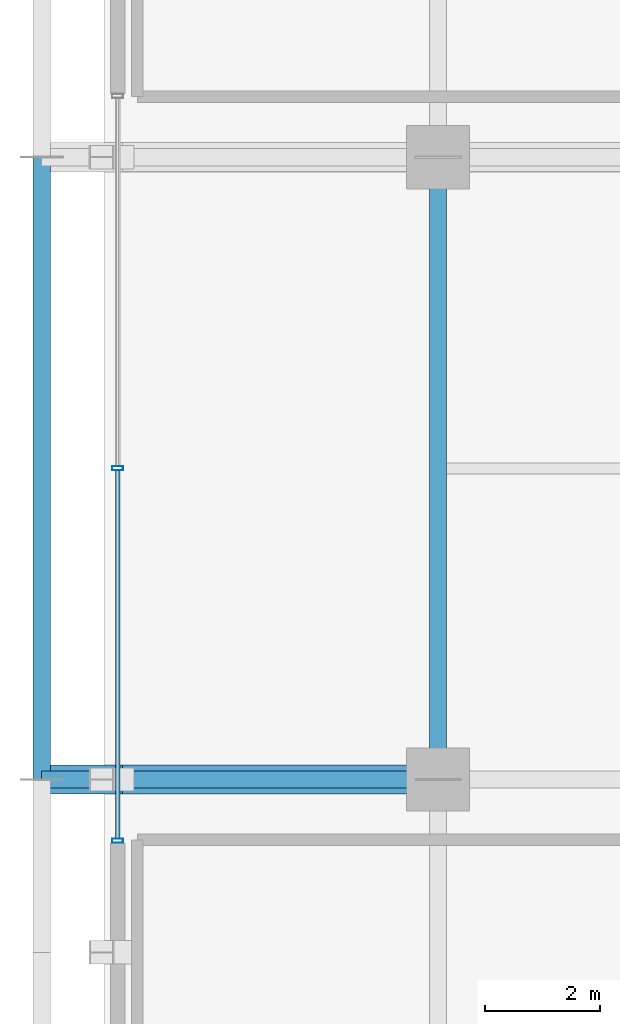
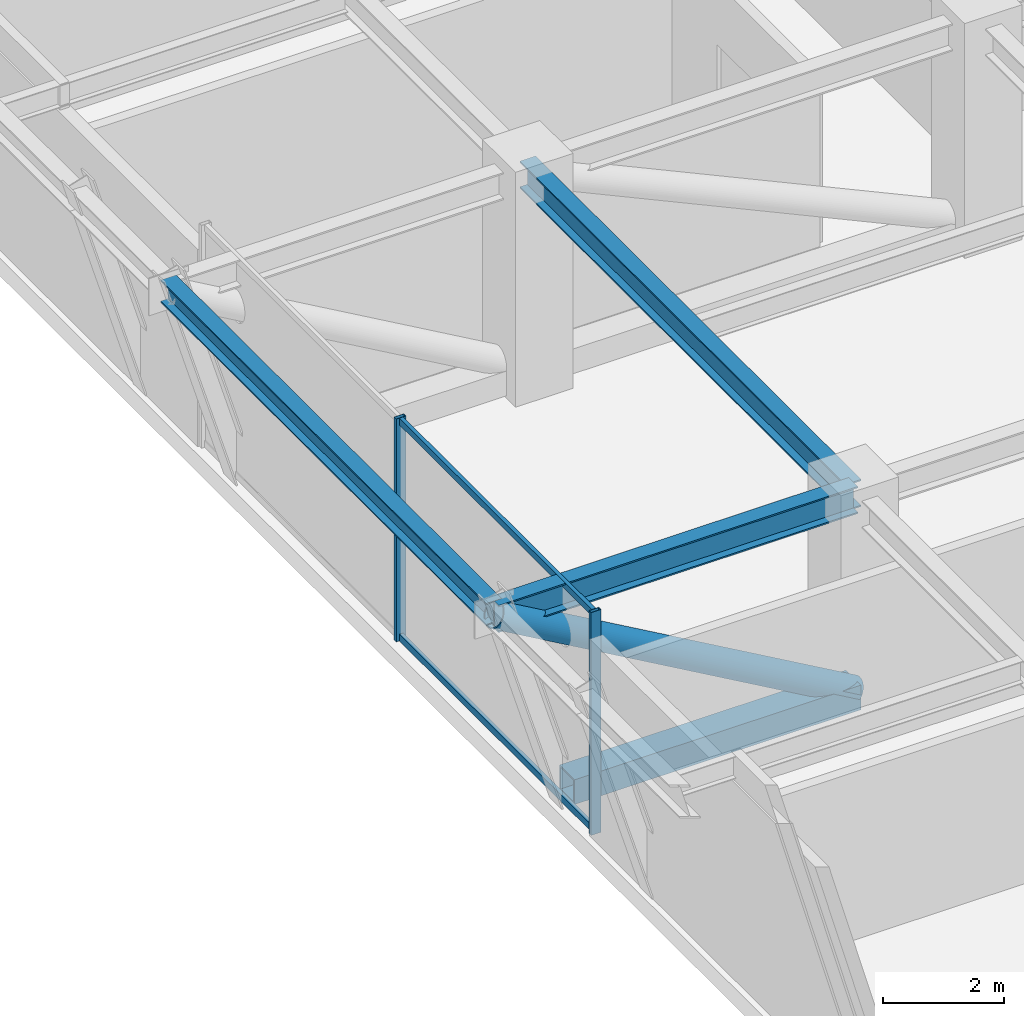
# One storey, part 2 of 16: 6 members, 3 beams, 1 element without a shape of its own.
"""IFC4 building model written with IfcOpenShell, lengths in metres."""

from ifc_helpers import new_model, si_unit, direction, frame, origin, origin_2d, place, context, subcontext, project, spatial, hollow_rectangle, hollow_circle, i_section, extrude, source, transform, mapped, material, material_profile, profile_set, type_object, element, aggregate, save


model = new_model("IFC4")

# Units and contexts
model_context = context("Model", 3, precision=1e-05, world=origin(), true_north=direction((0.0, 1.0)))
body_context = subcontext(model_context, "Body", "Model", "MODEL_VIEW")
ifc_project = project(units=[si_unit("LENGTHUNIT", "METRE"), si_unit("AREAUNIT", "SQUARE_METRE"), si_unit("VOLUMEUNIT", "CUBIC_METRE"), si_unit("PLANEANGLEUNIT", "RADIAN"), si_unit("MASSUNIT", "GRAM", prefix="KILO")], contexts=[model_context])

# Site, building, storey
site_placement = place(None, origin())
site = spatial("IfcSite", under=ifc_project, at=site_placement, CompositionType="ELEMENT")
building_placement = place(site_placement, origin())
building = spatial("IfcBuilding", under=site, at=building_placement, Name="Nahalor Promenade Grand Hotel", CompositionType="ELEMENT")
storey_placement = place(building_placement, frame((0.0, 0.0, 200.10009765625)))
storey = spatial("IfcBuildingStorey", under=building, at=storey_placement, Name="L51", CompositionType="ELEMENT", Elevation=200.10009765625)

# Beams
ifc_material_1 = material(Name="Steel S355JR", Category="steel")
ifc_material_profile_1 = material_profile(ifc_material_1, i_section(OverallWidth=0.3, OverallDepth=0.55, WebThickness=0.015, FlangeThickness=0.029, at=origin_2d()), Name="HEB 550")
ifc_profile_set_1 = profile_set([ifc_material_profile_1], Name="Steel S355JR")
beam_type_1 = type_object("IfcBeamType", Name="Beam-Girder-HEB550", PredefinedType="BEAM", material=ifc_profile_set_1)
shared_shape_1 = source(origin(), body_context, "Body", "SweptSolid", [
    extrude(i_section(OverallWidth=0.3, OverallDepth=0.55, WebThickness=0.015, FlangeThickness=0.029, at=origin_2d()), origin(), (0.0, 0.0, 1.0), 10.7998046875),
])
beam_1_placement = place(storey_placement, frame((-17.0, -5.39990234375, 4.23486328125), z_axis=(0.0, 1.0, 0.0), x_axis=(-1.0, 0.0, 0.0)))
element("IfcBeam", 1, at=beam_1_placement, inside=storey, type_object=beam_type_1, Name="BM-L51-GY-0-2", PredefinedType="BEAM", context=body_context, shape_type="MappedRepresentation", body=[
    mapped(shared_shape_1, transform((0.0, 0.0, 0.0), scale=1.0)),
])
ifc_material_profile_2 = material_profile(ifc_material_1, i_section(OverallWidth=0.3, OverallDepth=0.45, WebThickness=0.014, FlangeThickness=0.026, at=origin_2d()), Name="HEB 450")
ifc_profile_set_2 = profile_set([ifc_material_profile_2], Name="Steel S355JR")
beam_type_2 = type_object("IfcBeamType", Name="Beam-Spandrel-HEB450", PredefinedType="SPANDREL", material=ifc_profile_set_2)
shared_shape_2 = source(origin(), body_context, "Body", "SweptSolid", [
    extrude(i_section(OverallWidth=0.3, OverallDepth=0.45, WebThickness=0.014, FlangeThickness=0.026, at=origin_2d()), origin(), (0.0, 0.0, 1.0), 10.7998046875),
])
beam_2_placement = place(storey_placement, frame((-23.8798828125, -5.39990234375, 4.284912109375), z_axis=(0.0, 1.0, 0.0), x_axis=(-1.0, 0.0, 0.0)))
element("IfcBeam", 2, at=beam_2_placement, inside=storey, type_object=beam_type_2, Name="BM-L51-SP-W-2", PredefinedType="SPANDREL", context=body_context, shape_type="MappedRepresentation", body=[
    mapped(shared_shape_2, transform((0.0, 0.0, 0.0), scale=1.0)),
])
shared_shape_3 = source(origin(), body_context, "Body", "SweptSolid", [
    extrude(i_section(OverallWidth=0.3, OverallDepth=0.55, WebThickness=0.015, FlangeThickness=0.029, at=origin_2d()), origin(), (0.0, 0.0, 1.0), 6.8798828125),
])
beam_3_placement = place(storey_placement, frame((-23.8798828125, -5.39990234375, 4.23486328125), z_axis=(1.0, 0.0, 0.0), x_axis=(0.0, 1.0, 0.0)))
element("IfcBeam", 3, at=beam_3_placement, inside=storey, type_object=beam_type_1, Name="BM-L51-GX-1-0", PredefinedType="BEAM", context=body_context, shape_type="MappedRepresentation", body=[
    mapped(shared_shape_3, transform((0.0, 0.0, 0.0), scale=1.0)),
])

# Members
ifc_material_2 = material(Name="Steel S355J2", Category="steel")
ifc_material_profile_3 = material_profile(ifc_material_2, hollow_circle(Radius=0.254, WallThickness=0.025, at=origin_2d()), Name="CHS 508x25")
ifc_profile_set_3 = profile_set([ifc_material_profile_3], Name="Steel S355J2")
member_type_1 = type_object("IfcMemberType", Name="Mem-OutDiag-CHS508", PredefinedType="BRACE", material=ifc_profile_set_3)
shared_shape_4 = source(origin(), body_context, "Body", "SweptSolid", [
    extrude(hollow_circle(Radius=0.254, WallThickness=0.025, at=origin_2d()), origin(), (0.0, 0.0, 1.0), 7.933349609375),
])
member_1_placement = place(storey_placement, frame((-17.0, -5.39990234375, 0.2998046875), z_axis=(-0.867218645368, 0.0, 0.497927525978), x_axis=(0.0, -1.0, 0.0)))
element("IfcMember", 4, at=member_1_placement, inside=storey, type_object=member_type_1, Name="OU-L51-W1-D1", PredefinedType="BRACE", context=body_context, shape_type="MappedRepresentation", body=[
    mapped(shared_shape_4, transform((0.0, 0.0, 0.0), scale=1.0)),
])
ifc_material_profile_4 = material_profile(ifc_material_2, hollow_rectangle(XDim=0.5, YDim=0.5, WallThickness=0.032, at=origin_2d()), Name="SHS 500x500x32")
ifc_profile_set_4 = profile_set([ifc_material_profile_4], Name="Steel S355J2")
member_type_2 = type_object("IfcMemberType", Name="Mem-Chord-SHS500", PredefinedType="CHORD", material=ifc_profile_set_4)
shared_shape_5 = source(origin(), body_context, "Body", "SweptSolid", [
    extrude(hollow_rectangle(XDim=0.5, YDim=0.5, WallThickness=0.032, at=origin_2d()), origin(), (0.0, 0.0, 1.0), 5.47998046875),
])
member_2_placement = place(storey_placement, frame((-17.0, -5.39990234375, 0.2998046875), z_axis=(-1.0, 0.0, 0.0), x_axis=(0.0, -1.0, 0.0)))
element("IfcMember", 5, at=member_2_placement, inside=storey, type_object=member_type_2, Name="OU-L51-W1-C1", PredefinedType="CHORD", context=body_context, shape_type="MappedRepresentation", body=[
    mapped(shared_shape_5, transform((0.0, 0.0, 0.0), scale=1.0)),
])

# Curtain wall, members
ifc_material_3 = material(Name="Anodised Bronze Aluminium EN AW-6063 T6", Category="aluminium")
curtain_wall_type = type_object("IfcCurtainWallType", Name="CW6 Crown Botanical Conservatory Curtain Wall", PredefinedType="USERDEFINED", material=ifc_material_3)
curtain_wall_placement = place(storey_placement, origin())
curtain_wall = element("IfcCurtainWall", 6, at=curtain_wall_placement, inside=storey, type_object=curtain_wall_type, Name="L51 Curtain Wall CW-L51-W", ObjectType="UNITISED_CURTAIN_WALL", PredefinedType="USERDEFINED")
ifc_material_profile_5 = material_profile(ifc_material_3, hollow_rectangle(XDim=0.075, YDim=0.135, WallThickness=0.004, at=origin_2d()), Name="CWT 75x135x4")
ifc_profile_set_5 = profile_set([ifc_material_profile_5], Name="Anodised Bronze Aluminium EN AW-6063 T6")
member_type_3 = type_object("IfcMemberType", Name="CWT6 Conservatory Transom 75x135", PredefinedType="USERDEFINED", material=ifc_profile_set_5)
shared_shape_6 = source(origin(), body_context, "Body", "SweptSolid", [
    extrude(hollow_rectangle(XDim=0.075, YDim=0.135, WallThickness=0.004, at=origin_2d()), origin(), (0.0, 0.0, 1.0), 6.387451171875),
])
member_3_placement = place(storey_placement, frame((-22.56005859375, -6.425048828125, 0.0673828125), z_axis=(0.0, 1.0, 0.0), x_axis=(-1.0, 0.0, 0.0)))
member_3 = element("IfcMember", 7, at=member_3_placement, type_object=member_type_3, Name="CW-L51-W Transom 0-0", ObjectType="TRANSOM", PredefinedType="USERDEFINED", context=body_context, shape_type="MappedRepresentation", body=[
    mapped(shared_shape_6, transform((0.0, 0.0, 0.0), scale=1.0)),
])
member_4_placement = place(storey_placement, frame((-22.56005859375, -6.425048828125, 4.4423828125), z_axis=(0.0, 1.0, 0.0), x_axis=(-1.0, 0.0, 0.0)))
member_4 = element("IfcMember", 8, at=member_4_placement, type_object=member_type_3, Name="CW-L51-W Transom 0-1", ObjectType="TRANSOM", PredefinedType="USERDEFINED", context=body_context, shape_type="MappedRepresentation", body=[
    mapped(shared_shape_6, transform((0.0, 0.0, 0.0), scale=1.0)),
])
ifc_material_profile_6 = material_profile(ifc_material_3, hollow_rectangle(XDim=0.075, YDim=0.19, WallThickness=0.005, at=origin_2d()), Name="CWM 75x190x5")
ifc_profile_set_6 = profile_set([ifc_material_profile_6], Name="Anodised Bronze Aluminium EN AW-6063 T6")
member_type_4 = type_object("IfcMemberType", Name="CWM6 Conservatory Bronze Mullion 75x190", PredefinedType="MULLION", material=ifc_profile_set_6)
shared_shape_7 = source(origin(), body_context, "Body", "SweptSolid", [
    extrude(hollow_rectangle(XDim=0.075, YDim=0.19, WallThickness=0.005, at=origin_2d()), origin(), (0.0, 0.0, 1.0), 4.510009765625),
])
member_5_placement = place(storey_placement, frame((-22.56005859375, -6.46240234375, 0.0), z_axis=(0.0, 0.0, 1.0), x_axis=(0.0, 1.0, 0.0)))
member_5 = element("IfcMember", 9, at=member_5_placement, type_object=member_type_4, Name="CW-L51-W Mullion 0", PredefinedType="MULLION", context=body_context, shape_type="MappedRepresentation", body=[
    mapped(shared_shape_7, transform((0.0, 0.0, 0.0), scale=1.0)),
])
member_6_placement = place(storey_placement, frame((-22.56005859375, 0.0, 0.0), z_axis=(0.0, 0.0, 1.0), x_axis=(0.0, 1.0, 0.0)))
member_6 = element("IfcMember", 10, at=member_6_placement, type_object=member_type_4, Name="CW-L51-W Mullion 1", PredefinedType="MULLION", context=body_context, shape_type="MappedRepresentation", body=[
    mapped(shared_shape_7, transform((0.0, 0.0, 0.0), scale=1.0)),
])
aggregate(curtain_wall, [member_5, member_6, member_3, member_4])

save(model, "model.ifc")
